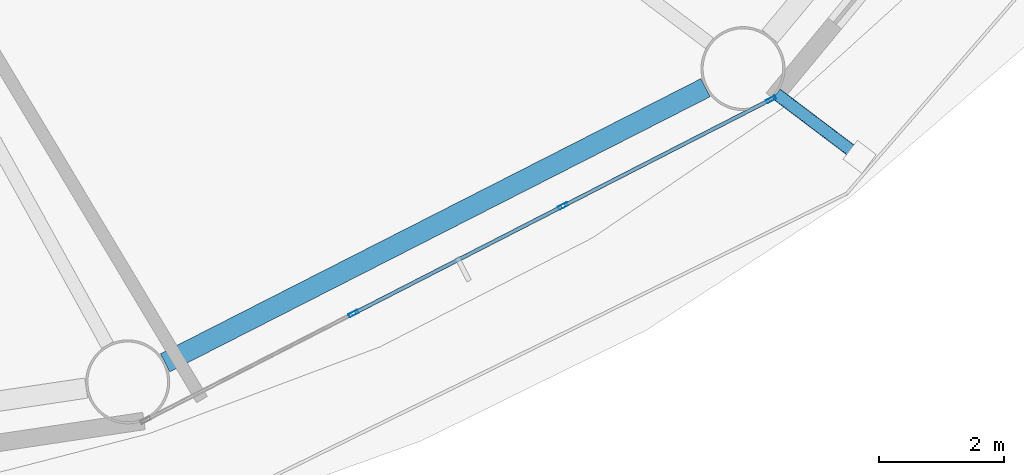
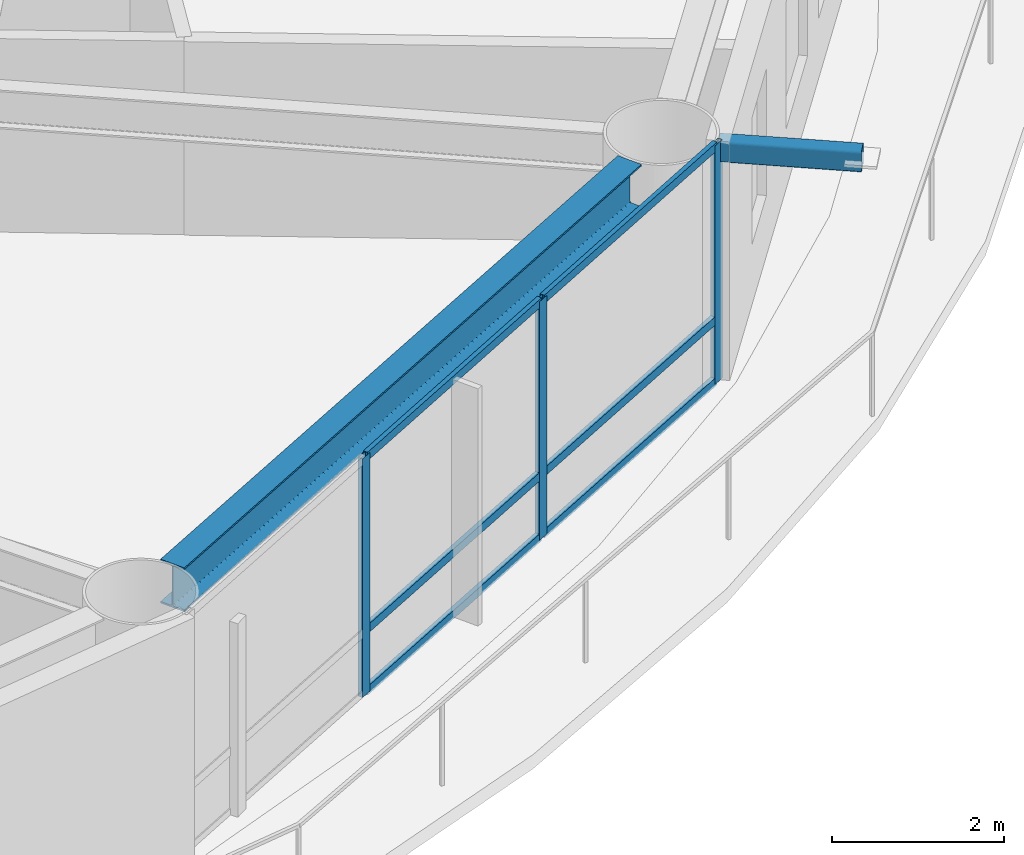
# One storey, part 8 of 26: 10 members, 1 beam, 1 element without a shape of its own.
"""IFC4 building model written with IfcOpenShell, lengths in metres."""

from ifc_helpers import new_model, si_unit, direction, frame, origin, origin_2d, place, context, subcontext, project, spatial, hollow_rectangle, i_section, extrude, material, layer, layer_set, material_profile, profile_set, type_object, element, aggregate, save


model = new_model("IFC4")

# Units and contexts
model_context = context("Model", 3, precision=1e-05, world=origin(), true_north=direction((0.0, 1.0)))
body_context = subcontext(model_context, "Body", "Model", "MODEL_VIEW")
ifc_project = project(units=[si_unit("LENGTHUNIT", "METRE"), si_unit("AREAUNIT", "SQUARE_METRE"), si_unit("VOLUMEUNIT", "CUBIC_METRE"), si_unit("PLANEANGLEUNIT", "RADIAN"), si_unit("MASSUNIT", "GRAM", prefix="KILO")], contexts=[model_context])

# Site, building, storey
site_placement = place(None, origin())
site = spatial("IfcSite", under=ifc_project, at=site_placement, CompositionType="ELEMENT")
building_placement = place(site_placement, origin())
building = spatial("IfcBuilding", under=site, at=building_placement, Name="Sarneth Arch Tower", CompositionType="ELEMENT")
storey_placement = place(building_placement, frame((0.0, 0.0, 53.39990234375)))
storey = spatial("IfcBuildingStorey", under=building, at=storey_placement, Name="L12", CompositionType="ELEMENT", Elevation=53.39990234375)

# Beam
ifc_material_1 = material(Name="Steel S355", Category="steel")
ifc_material_profile_1 = material_profile(ifc_material_1, i_section(OverallWidth=0.326904296875, OverallDepth=0.6220703125, WebThickness=0.015380859375, FlangeThickness=0.0244140625, FilletRadius=0.01904296875, at=origin_2d()), Name="W610x195")
ifc_profile_set_1 = profile_set([ifc_material_profile_1], Name="Steel S355")
beam_type = type_object("IfcBeamType", Name="BM-SPAN-610A", PredefinedType="SPANDREL", material=ifc_profile_set_1)
beam_placement = place(storey_placement, frame((60.41943359375, 20.872314453125, 3.069091796875), z_axis=(0.8911738076, 0.453662037919, 0.0), x_axis=(-0.453662037919, 0.8911738076, 0.0)))
element("IfcBeam", 1, at=beam_placement, inside=storey, type_object=beam_type, Name="L12 Perimeter spandrel beam 14", PredefinedType="SPANDREL", context=body_context, shape_type="SweptSolid", body=[
    extrude(i_section(OverallWidth=0.326904296875, OverallDepth=0.6220703125, WebThickness=0.015380859375, FlangeThickness=0.0244140625, FilletRadius=0.01904296875, at=origin_2d()), origin(), (0.0, 0.0, 1.0), 9.735107421875),
])

# Curtain wall, members
ifc_material_2 = material(Name="Anodised aluminium Type AA25 and solar-control low-e laminated IGU", Category="aluminium")
ifc_layer = layer(ifc_material_2, 0.159912109375)
ifc_layer_set = layer_set([ifc_layer], Name="Anodised aluminium Type AA25 and solar-control low-e laminated IGU")
curtain_wall_type = type_object("IfcCurtainWallType", Name="CW-HOTEL-LOW", PredefinedType="NOTDEFINED", material=ifc_layer_set)
curtain_wall_placement = place(storey_placement, origin())
curtain_wall = element("IfcCurtainWall", 2, at=curtain_wall_placement, inside=storey, type_object=curtain_wall_type, Name="L12 Unitised curtain wall facet 14", PredefinedType="NOTDEFINED")
ifc_material_3 = material(Name="Anodised Aluminium 6063-T6", Category="aluminium")
ifc_material_profile_2 = material_profile(ifc_material_3, hollow_rectangle(XDim=0.06005859375, YDim=0.159912109375, WallThickness=0.00390625, at=origin_2d()), Name="AL-MULL-160x60x4")
ifc_profile_set_2 = profile_set([ifc_material_profile_2], Name="Anodised Aluminium 6063-T6")
member_type_1 = type_object("IfcMemberType", Name="CW-MULLION", PredefinedType="MULLION", material=ifc_profile_set_2)
member_1_placement = place(storey_placement, frame((63.443359375, 21.663330078125, 0.0), z_axis=(0.0, 0.0, 1.0), x_axis=(-0.456245197127, 0.889854100456, 0.0)))
member_1 = element("IfcMember", 3, at=member_1_placement, type_object=member_type_1, Name="CW-SYS-3 mullion 2", PredefinedType="MULLION", context=body_context, shape_type="SweptSolid", body=[
    extrude(hollow_rectangle(XDim=0.06005859375, YDim=0.159912109375, WallThickness=0.00390625, at=origin_2d()), origin(), (0.0, 0.0, 1.0), 3.380126953125),
])
member_2_placement = place(storey_placement, frame((66.80859375, 23.388671875, 0.0), z_axis=(0.0, 0.0, 1.0), x_axis=(-0.456245197127, 0.889854100456, 0.0)))
member_2 = element("IfcMember", 4, at=member_2_placement, type_object=member_type_1, Name="CW-SYS-3 mullion 3", PredefinedType="MULLION", context=body_context, shape_type="SweptSolid", body=[
    extrude(hollow_rectangle(XDim=0.06005859375, YDim=0.159912109375, WallThickness=0.00390625, at=origin_2d()), origin(), (0.0, 0.0, 1.0), 3.380126953125),
])
member_3_placement = place(storey_placement, frame((70.1474609375, 25.1005859375, 0.0), z_axis=(0.0, 0.0, 1.0), x_axis=(-0.456245197127, 0.889854100456, 0.0)))
member_3 = element("IfcMember", 5, at=member_3_placement, type_object=member_type_1, Name="CW-SYS-3 mullion 4", PredefinedType="MULLION", context=body_context, shape_type="SweptSolid", body=[
    extrude(hollow_rectangle(XDim=0.06005859375, YDim=0.159912109375, WallThickness=0.00390625, at=origin_2d()), origin(), (0.0, 0.0, 1.0), 3.380126953125),
])
ifc_material_4 = material(Name="Anodised Aluminium 6063-T6", Category="aluminium")
ifc_material_profile_3 = material_profile(ifc_material_4, hollow_rectangle(XDim=0.06005859375, YDim=0.1201171875, WallThickness=0.00390625, at=origin_2d()), Name="AL-TRAN-120x60x4")
ifc_profile_set_3 = profile_set([ifc_material_profile_3], Name="Anodised Aluminium 6063-T6")
member_type_2 = type_object("IfcMemberType", Name="CW-TRANSOM", PredefinedType="USERDEFINED", material=ifc_profile_set_3)
member_4_placement = place(storey_placement, frame((63.469970703125, 21.677001953125, 0.030029296875), z_axis=(0.889868677022, 0.456216766083, 0.0), x_axis=(-0.456216766083, 0.889868677022, 0.0)))
member_4 = element("IfcMember", 6, at=member_4_placement, type_object=member_type_2, Name="CW-SYS-3 transom 2.1", ObjectType="TRANSOM", PredefinedType="USERDEFINED", context=body_context, shape_type="SweptSolid", body=[
    extrude(hollow_rectangle(XDim=0.06005859375, YDim=0.1201171875, WallThickness=0.00390625, at=origin_2d()), origin(), (0.0, 0.0, 1.0), 3.721923828125),
])
member_5_placement = place(storey_placement, frame((63.469970703125, 21.677001953125, 0.900146484375), z_axis=(0.889868677022, 0.456216766083, 0.0), x_axis=(-0.456216766083, 0.889868677022, 0.0)))
member_5 = element("IfcMember", 7, at=member_5_placement, type_object=member_type_2, Name="CW-SYS-3 transom 2.2", ObjectType="TRANSOM", PredefinedType="USERDEFINED", context=body_context, shape_type="SweptSolid", body=[
    extrude(hollow_rectangle(XDim=0.06005859375, YDim=0.1201171875, WallThickness=0.00390625, at=origin_2d()), origin(), (0.0, 0.0, 1.0), 3.721923828125),
])
member_6_placement = place(storey_placement, frame((63.469970703125, 21.677001953125, 3.35009765625), z_axis=(0.889868677022, 0.456216766083, 0.0), x_axis=(-0.456216766083, 0.889868677022, 0.0)))
member_6 = element("IfcMember", 8, at=member_6_placement, type_object=member_type_2, Name="CW-SYS-3 transom 2.3", ObjectType="TRANSOM", PredefinedType="USERDEFINED", context=body_context, shape_type="SweptSolid", body=[
    extrude(hollow_rectangle(XDim=0.06005859375, YDim=0.1201171875, WallThickness=0.00390625, at=origin_2d()), origin(), (0.0, 0.0, 1.0), 3.721923828125),
])
member_7_placement = place(storey_placement, frame((66.83544921875, 23.402587890625, 0.030029296875), z_axis=(0.889871845224, 0.456210586327, 0.0), x_axis=(-0.456210586327, 0.889871845224, 0.0)))
member_7 = element("IfcMember", 9, at=member_7_placement, type_object=member_type_2, Name="CW-SYS-3 transom 3.1", ObjectType="TRANSOM", PredefinedType="USERDEFINED", context=body_context, shape_type="SweptSolid", body=[
    extrude(hollow_rectangle(XDim=0.06005859375, YDim=0.1201171875, WallThickness=0.00390625, at=origin_2d()), origin(), (0.0, 0.0, 1.0), 3.69189453125),
])
member_8_placement = place(storey_placement, frame((66.83544921875, 23.402587890625, 0.900146484375), z_axis=(0.889871845224, 0.456210586327, 0.0), x_axis=(-0.456210586327, 0.889871845224, 0.0)))
member_8 = element("IfcMember", 10, at=member_8_placement, type_object=member_type_2, Name="CW-SYS-3 transom 3.2", ObjectType="TRANSOM", PredefinedType="USERDEFINED", context=body_context, shape_type="SweptSolid", body=[
    extrude(hollow_rectangle(XDim=0.06005859375, YDim=0.1201171875, WallThickness=0.00390625, at=origin_2d()), origin(), (0.0, 0.0, 1.0), 3.69189453125),
])
member_9_placement = place(storey_placement, frame((66.83544921875, 23.402587890625, 3.35009765625), z_axis=(0.889871845224, 0.456210586327, 0.0), x_axis=(-0.456210586327, 0.889871845224, 0.0)))
member_9 = element("IfcMember", 11, at=member_9_placement, type_object=member_type_2, Name="CW-SYS-3 transom 3.3", ObjectType="TRANSOM", PredefinedType="USERDEFINED", context=body_context, shape_type="SweptSolid", body=[
    extrude(hollow_rectangle(XDim=0.06005859375, YDim=0.1201171875, WallThickness=0.00390625, at=origin_2d()), origin(), (0.0, 0.0, 1.0), 3.69189453125),
])
aggregate(curtain_wall, [member_1, member_2, member_3, member_4, member_5, member_6, member_7, member_8, member_9])

# Member
ifc_material_5 = material(Name="Steel S355", Category="steel")
ifc_material_profile_4 = material_profile(ifc_material_5, hollow_rectangle(XDim=0.199951171875, YDim=0.300048828125, WallThickness=0.012451171875, InnerFilletRadius=0.018798828125, OuterFilletRadius=0.03125, at=origin_2d()), Name="RHS300x200x12.5")
ifc_profile_set_4 = profile_set([ifc_material_profile_4], Name="Steel S355")
member_type_3 = type_object("IfcMemberType", Name="MEM-CANT-STRUT", PredefinedType="STRUT", material=ifc_profile_set_4)
member_10_placement = place(storey_placement, frame((70.235107421875, 25.18798828125, 3.22021484375), z_axis=(0.797649065086, -0.603121852504, 0.0), x_axis=(0.603121852504, 0.797649065086, 0.0)))
element("IfcMember", 12, at=member_10_placement, inside=storey, type_object=member_type_3, Name="L12 Balcony cantilever bracket 15", PredefinedType="STRUT", context=body_context, shape_type="SweptSolid", body=[
    extrude(hollow_rectangle(XDim=0.199951171875, YDim=0.300048828125, WallThickness=0.012451171875, InnerFilletRadius=0.018798828125, OuterFilletRadius=0.03125, at=origin_2d()), origin(), (0.0, 0.0, 1.0), 1.67431640625),
])

save(model, "model.ifc")
